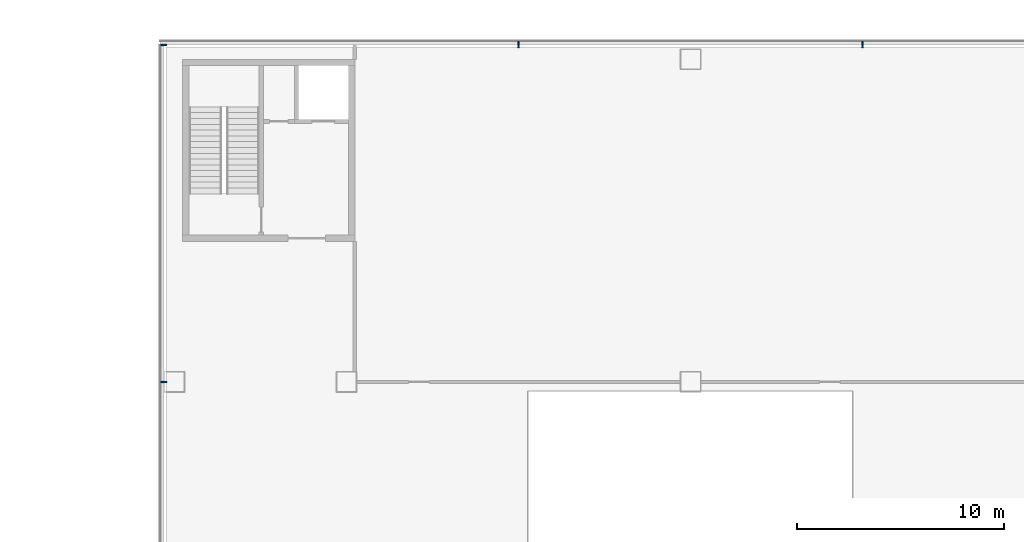
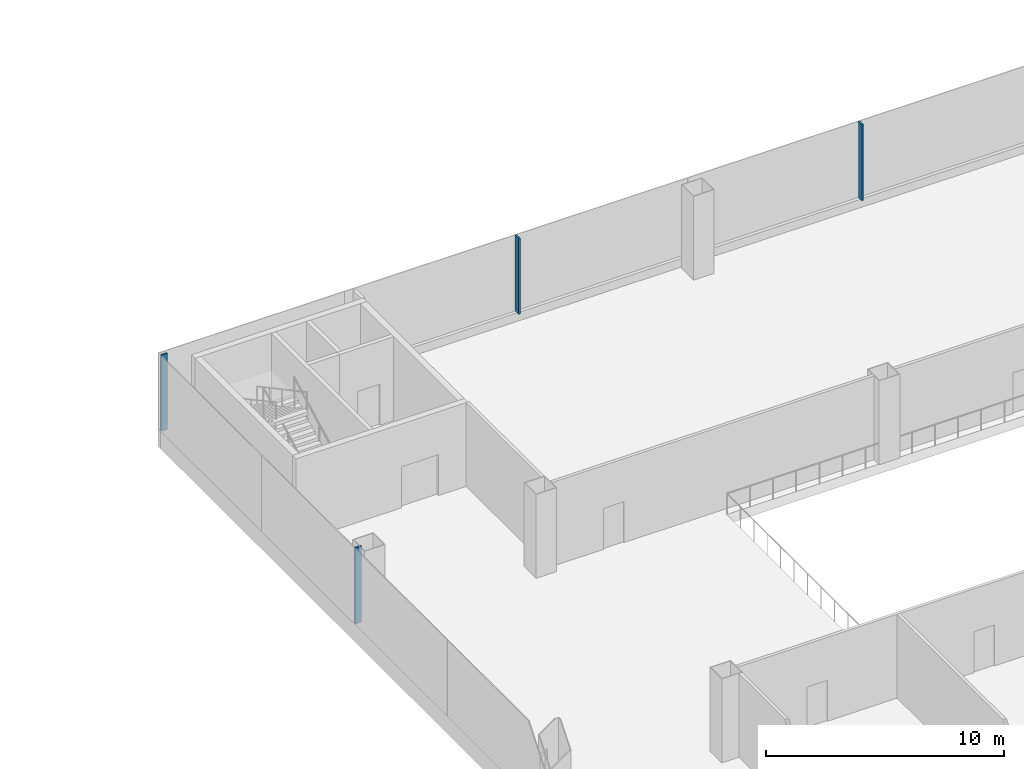
# One storey, part 13 of 53: 4 members, 2 elements without a shape of their own.
"""IFC4 building model written with IfcOpenShell, lengths in metres."""

from ifc_helpers import new_model, si_unit, direction, frame, origin, origin_2d, place, context, subcontext, project, spatial, rectangle, extrude, material, layer, layer_set, material_profile, profile_set, type_object, element, aggregate, save


model = new_model("IFC4")

# Units and contexts
model_context = context("Model", 3, precision=1e-05, world=origin(), true_north=direction((0.0, 1.0)))
body_context = subcontext(model_context, "Body", "Model", "MODEL_VIEW")
ifc_project = project(units=[si_unit("LENGTHUNIT", "METRE"), si_unit("AREAUNIT", "SQUARE_METRE"), si_unit("VOLUMEUNIT", "CUBIC_METRE"), si_unit("PLANEANGLEUNIT", "RADIAN"), si_unit("MASSUNIT", "GRAM", prefix="KILO")], contexts=[model_context])

# Site, building, storey
site_placement = place(None, origin())
site = spatial("IfcSite", under=ifc_project, at=site_placement, CompositionType="ELEMENT")
building_placement = place(site_placement, origin())
building = spatial("IfcBuilding", under=site, at=building_placement, Name="Hakoniwa Tower and Hamabe Station Hall", CompositionType="ELEMENT")
storey_placement = place(building_placement, frame((0.0, 0.0, 15.0)))
storey = spatial("IfcBuildingStorey", under=building, at=storey_placement, Name="L03", CompositionType="ELEMENT", Elevation=15.0)

# Curtain wall, members
ifc_material_1 = material(Name="Dark low-e laminated glass", Category="glass")
ifc_layer = layer(ifc_material_1, 0.199951171875)
ifc_layer_set = layer_set([ifc_layer], Name="CW-7 STATION")
curtain_wall_type = type_object("IfcCurtainWallType", Name="CW-7 STATION", PredefinedType="NOTDEFINED", material=ifc_layer_set)
curtain_wall_1_placement = place(storey_placement, origin())
curtain_wall_1 = element("IfcCurtainWall", 1, at=curtain_wall_1_placement, inside=storey, type_object=curtain_wall_type, Name="Station curtain wall L03 north", PredefinedType="NOTDEFINED")
ifc_material_2 = material(Name="Aluminium 6063-T5 black anodised", Category="aluminium")
ifc_material_profile = material_profile(ifc_material_2, rectangle(XDim=0.080078125, YDim=0.300048828125, at=origin_2d()), Name="CW-3 MULLION 80X300")
ifc_profile_set = profile_set([ifc_material_profile], Name="Aluminium 6063-T5 black anodised")
member_type = type_object("IfcMemberType", Name="CW-3 MULLION 80X300", PredefinedType="MULLION", material=ifc_profile_set)
member_1_placement = place(storey_placement, frame((119.22998046875, 24.1220703125, 0.35009765625), z_axis=(0.0, 0.0, 1.0), x_axis=(-1.0, 0.0, 0.0)))
member_1 = element("IfcMember", 2, at=member_1_placement, type_object=member_type, Name="CW-7 mullion", PredefinedType="MULLION", context=body_context, shape_type="SweptSolid", body=[
    extrude(rectangle(XDim=0.080078125, YDim=0.300048828125, at=origin_2d()), origin(), (0.0, 0.0, 1.0), 3.89990234375),
])
member_2_placement = place(storey_placement, frame((102.590087890625, 24.1220703125, 0.35009765625), z_axis=(0.0, 0.0, 1.0), x_axis=(-1.0, 0.0, 0.0)))
member_2 = element("IfcMember", 3, at=member_2_placement, type_object=member_type, Name="CW-7 mullion", PredefinedType="MULLION", context=body_context, shape_type="SweptSolid", body=[
    extrude(rectangle(XDim=0.080078125, YDim=0.300048828125, at=origin_2d()), origin(), (0.0, 0.0, 1.0), 3.89990234375),
])
aggregate(curtain_wall_1, [member_1, member_2])

curtain_wall_2_placement = place(storey_placement, origin())
curtain_wall_2 = element("IfcCurtainWall", 4, at=curtain_wall_2_placement, inside=storey, type_object=curtain_wall_type, Name="Station curtain wall L03 west", PredefinedType="NOTDEFINED")
member_3_placement = place(storey_placement, frame((85.427978515625, 24.10009765625, 0.35009765625), z_axis=(0.0, 0.0, 1.0), x_axis=(0.0, -1.0, 0.0)))
member_3 = element("IfcMember", 5, at=member_3_placement, type_object=member_type, Name="CW-7 mullion", PredefinedType="MULLION", context=body_context, shape_type="SweptSolid", body=[
    extrude(rectangle(XDim=0.080078125, YDim=0.300048828125, at=origin_2d()), origin(), (0.0, 0.0, 1.0), 3.89990234375),
])
member_4_placement = place(storey_placement, frame((85.427978515625, 7.800048828125, 0.35009765625), z_axis=(0.0, 0.0, 1.0), x_axis=(0.0, -1.0, 0.0)))
member_4 = element("IfcMember", 6, at=member_4_placement, type_object=member_type, Name="CW-7 mullion", PredefinedType="MULLION", context=body_context, shape_type="SweptSolid", body=[
    extrude(rectangle(XDim=0.080078125, YDim=0.300048828125, at=origin_2d()), origin(), (0.0, 0.0, 1.0), 3.89990234375),
])
aggregate(curtain_wall_2, [member_3, member_4])

save(model, "model.ifc")
